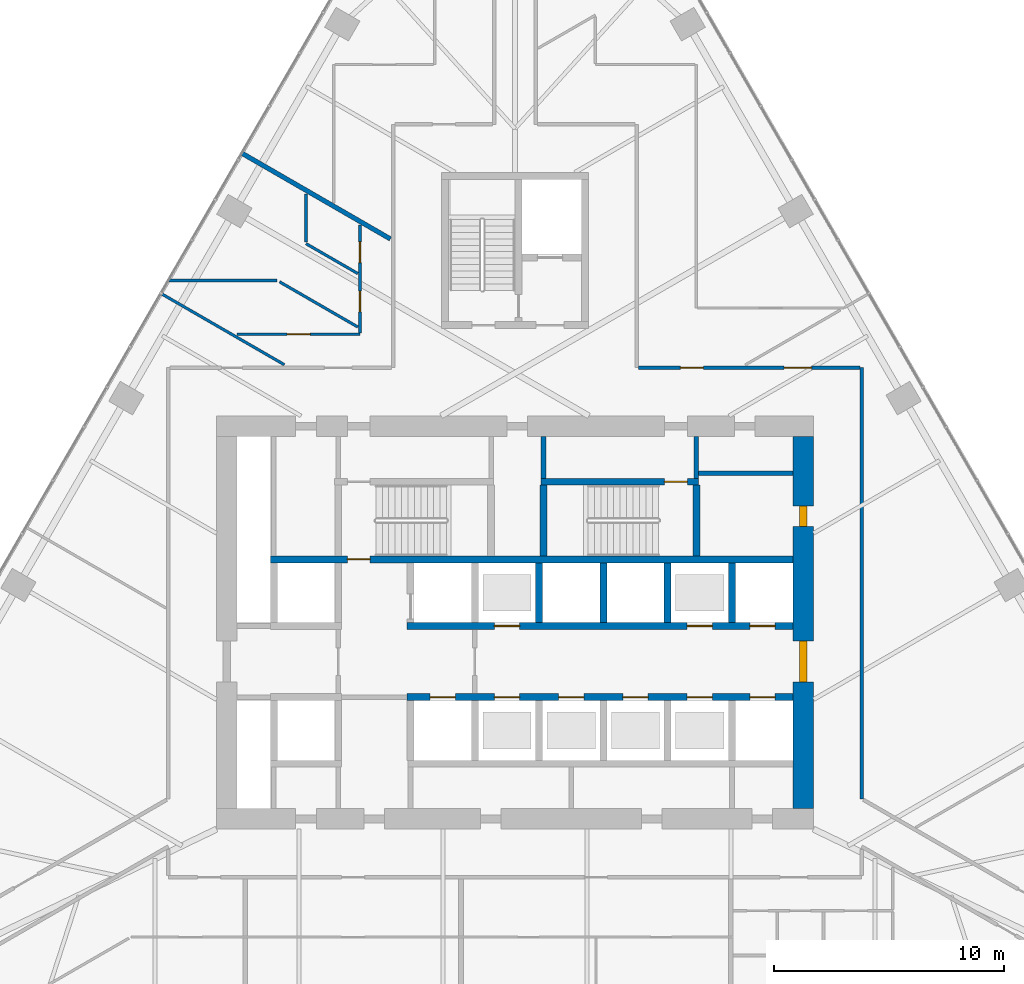
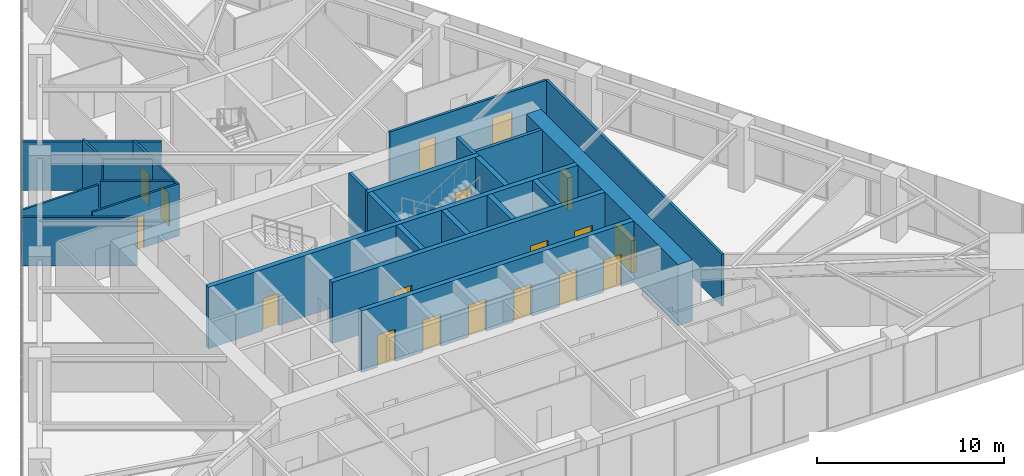
# One storey, part 18 of 21: 24 walls, 18 doors, 18 openings.
"""IFC4 building model written with IfcOpenShell, lengths in metres."""

from ifc_helpers import new_model, si_unit, direction, frame, frame_2d, origin, place, context, subcontext, project, spatial, rectangle, extrude, material, layer, layer_set, type_object, element, fill, save


model = new_model("IFC4")

# Units and contexts
model_context = context("Model", 3, precision=1e-05, world=origin(), true_north=direction((0.0, 1.0)))
body_context = subcontext(model_context, "Body", "Model", "MODEL_VIEW")
ifc_project = project(units=[si_unit("LENGTHUNIT", "METRE"), si_unit("AREAUNIT", "SQUARE_METRE"), si_unit("VOLUMEUNIT", "CUBIC_METRE"), si_unit("PLANEANGLEUNIT", "RADIAN"), si_unit("MASSUNIT", "GRAM", prefix="KILO")], contexts=[model_context])

# Site, building, storey
site_placement = place(None, origin())
site = spatial("IfcSite", under=ifc_project, at=site_placement, CompositionType="ELEMENT")
building_placement = place(site_placement, origin())
building = spatial("IfcBuilding", under=site, at=building_placement, Name="Firuza Gate Tower and Library", CompositionType="ELEMENT")
storey_placement = place(building_placement, frame((0.0, 0.0, 98.800048828125)))
storey = spatial("IfcBuildingStorey", under=building, at=storey_placement, Name="L22", CompositionType="ELEMENT", Elevation=98.800048828125)

# Walls
ifc_material_1 = material(Name="Plasterboard on steel studs", Category="steel")
ifc_layer_1 = layer(ifc_material_1, 0.199951171875)
ifc_layer_set_1 = layer_set([ifc_layer_1], Name="Core partition 200 EI 60")
wall_type_1 = type_object("IfcWallType", Name="Core partition 200 EI 60", PredefinedType="PARTITIONING", material=ifc_layer_set_1)
wall_1_placement = place(storey_placement, frame((83.0, 81.4951171875, 0.0), z_axis=(0.0, 0.0, 1.0), x_axis=(1.0, 0.0, 0.0)))
element("IfcWall", 1, at=wall_1_placement, inside=storey, type_object=wall_type_1, Name="Core partition L22 4", PredefinedType="PARTITIONING", context=body_context, shape_type="SweptSolid", body=[
    extrude(rectangle(XDim=4.10009765625, YDim=0.199951171875, at=frame_2d((2.050048828125, 0.0))), origin(), (0.0, 0.0, 1.0), 4.0),
])
for number, where, z_axis, x_axis, name in (
    (2, (76.239990234375, 81.280029296875, 0.0), (0.0, 0.0, 1.0), (0.0, 1.0, 0.0), "Core partition L22 13"),
    (3, (82.89990234375, 81.280029296875, 0.0), (0.0, 0.0, 1.0), (0.0, 1.0, 0.0), "Core partition L22 15"),
):
    element("IfcWall", number, at=place(storey_placement, frame(where, z_axis=z_axis, x_axis=x_axis)), inside=storey, type_object=wall_type_1, Name=name, PredefinedType="PARTITIONING", context=body_context, shape_type="SweptSolid", body=[
        extrude(rectangle(XDim=1.820068359375, YDim=0.199951171875, at=frame_2d((0.91015625, 0.0))), origin(), (0.0, 0.0, 1.0), 4.0),
    ])

# Wall, openings, doors
ifc_material_2 = material(Name="Concrete C80/95", Category="concrete")
ifc_layer_2 = layer(ifc_material_2, 0.300048828125)
ifc_layer_set_2 = layer_set([ifc_layer_2], Name="Core wall 300 C80/95")
wall_type_2 = type_object("IfcWallType", Name="Core wall 300 C80/95", PredefinedType="SHEAR", material=ifc_layer_set_2)
wall_2_placement = place(storey_placement, frame((70.300048828125, 71.75, 0.0), z_axis=(0.0, 0.0, 1.0), x_axis=(1.0, 0.0, 0.0)))
wall_2 = element("IfcWall", 4, at=wall_2_placement, inside=storey, type_object=wall_type_2, Name="Core wall L22 8", PredefinedType="SHEAR", context=body_context, shape_type="SweptSolid", body=[
    extrude(rectangle(XDim=16.800048828125, YDim=0.300048828125, at=frame_2d((8.39990234375, 0.0))), origin(), (0.0, 0.0, 1.0), 4.0),
])
opening_1_placement = place(wall_2_placement, frame((1.0, 0.0, 0.0)))
opening_1 = element("IfcOpeningElement", 5, at=opening_1_placement, cuts=wall_2, Name="Opening LD-FF1-L22", PredefinedType="OPENING", context=body_context, shape_type="SweptSolid", body=[
    extrude(rectangle(XDim=1.10009765625, YDim=2.10009765625, at=frame_2d((0.550048828125, 1.050048828125))), frame((0.0, 0.16015625, 0.0), z_axis=(0.0, -1.0, 0.0), x_axis=(1.0, 0.0, 0.0)), (0.0, 0.0, 1.0), 0.320068359375),
])
opening_2_placement = place(wall_2_placement, frame((3.800048828125, 0.0, 0.0)))
opening_2 = element("IfcOpeningElement", 6, at=opening_2_placement, cuts=wall_2, Name="Opening LD-LR1-L22", PredefinedType="OPENING", context=body_context, shape_type="SweptSolid", body=[
    extrude(rectangle(XDim=1.10009765625, YDim=2.10009765625, at=frame_2d((0.550048828125, 1.050048828125))), frame((0.0, 0.16015625, 0.0), z_axis=(0.0, -1.0, 0.0), x_axis=(1.0, 0.0, 0.0)), (0.0, 0.0, 1.0), 0.320068359375),
])
opening_3_placement = place(wall_2_placement, frame((6.60009765625, 0.0, 0.0)))
opening_3 = element("IfcOpeningElement", 7, at=opening_3_placement, cuts=wall_2, Name="Opening LD-LR2-L22", PredefinedType="OPENING", context=body_context, shape_type="SweptSolid", body=[
    extrude(rectangle(XDim=1.10009765625, YDim=2.10009765625, at=frame_2d((0.550048828125, 1.050048828125))), frame((0.0, 0.16015625, 0.0), z_axis=(0.0, -1.0, 0.0), x_axis=(1.0, 0.0, 0.0)), (0.0, 0.0, 1.0), 0.320068359375),
])
opening_4_placement = place(wall_2_placement, frame((9.39990234375, 0.0, 0.0)))
opening_4 = element("IfcOpeningElement", 8, at=opening_4_placement, cuts=wall_2, Name="Opening LD-LR3-L22", PredefinedType="OPENING", context=body_context, shape_type="SweptSolid", body=[
    extrude(rectangle(XDim=1.10009765625, YDim=2.10009765625, at=frame_2d((0.550048828125, 1.050048828125))), frame((0.0, 0.16015625, 0.0), z_axis=(0.0, -1.0, 0.0), x_axis=(1.0, 0.0, 0.0)), (0.0, 0.0, 1.0), 0.320068359375),
])
opening_5_placement = place(wall_2_placement, frame((12.199951171875, 0.0, 0.0)))
opening_5 = element("IfcOpeningElement", 9, at=opening_5_placement, cuts=wall_2, Name="Opening LD-LR5-L22", PredefinedType="OPENING", context=body_context, shape_type="SweptSolid", body=[
    extrude(rectangle(XDim=1.10009765625, YDim=2.10009765625, at=frame_2d((0.550048828125, 1.050048828125))), frame((0.0, 0.16015625, 0.0), z_axis=(0.0, -1.0, 0.0), x_axis=(1.0, 0.0, 0.0)), (0.0, 0.0, 1.0), 0.320068359375),
])
opening_6_placement = place(wall_2_placement, frame((14.925048828125, 0.0, 0.0)))
opening_6 = element("IfcOpeningElement", 10, at=opening_6_placement, cuts=wall_2, Name="Opening LD-LR7-L22", PredefinedType="OPENING", context=body_context, shape_type="SweptSolid", body=[
    extrude(rectangle(XDim=1.10009765625, YDim=2.10009765625, at=frame_2d((0.550048828125, 1.050048828125))), frame((0.0, 0.16015625, 0.0), z_axis=(0.0, -1.0, 0.0), x_axis=(1.0, 0.0, 0.0)), (0.0, 0.0, 1.0), 0.320068359375),
])
ifc_material_3 = material(Name="Stainless steel", Category="steel")
door_type_1 = type_object("IfcDoorType", Name="Lift landing door 1100x2100", OperationType="DOUBLE_DOOR_SLIDING", PredefinedType="DOOR", material=ifc_material_3)
door_1_placement = place(opening_1_placement, origin())
door_1 = element("IfcDoor", 11, at=door_1_placement, inside=storey, type_object=door_type_1, Name="Landing door FF1 L22", OperationType="DOUBLE_DOOR_SLIDING", OverallHeight=2.10009765625, OverallWidth=1.10009765625, PredefinedType="DOOR", context=body_context, shape_type="SweptSolid", body=[
    extrude(rectangle(XDim=1.10009765625, YDim=2.10009765625, at=frame_2d((0.550048828125, 1.050048828125))), frame((0.0, 0.02490234375, 0.0), z_axis=(0.0, -1.0, 0.0), x_axis=(1.0, 0.0, 0.0)), (0.0, 0.0, 1.0), 0.050048828125),
])
fill(opening_1, door_1)
door_2_placement = place(opening_2_placement, origin())
door_2 = element("IfcDoor", 12, at=door_2_placement, inside=storey, type_object=door_type_1, Name="Landing door LR1 L22", OperationType="DOUBLE_DOOR_SLIDING", OverallHeight=2.10009765625, OverallWidth=1.10009765625, PredefinedType="DOOR", context=body_context, shape_type="SweptSolid", body=[
    extrude(rectangle(XDim=1.10009765625, YDim=2.10009765625, at=frame_2d((0.550048828125, 1.050048828125))), frame((0.0, 0.02490234375, 0.0), z_axis=(0.0, -1.0, 0.0), x_axis=(1.0, 0.0, 0.0)), (0.0, 0.0, 1.0), 0.050048828125),
])
fill(opening_2, door_2)
door_3_placement = place(opening_3_placement, origin())
door_3 = element("IfcDoor", 13, at=door_3_placement, inside=storey, type_object=door_type_1, Name="Landing door LR2 L22", OperationType="DOUBLE_DOOR_SLIDING", OverallHeight=2.10009765625, OverallWidth=1.10009765625, PredefinedType="DOOR", context=body_context, shape_type="SweptSolid", body=[
    extrude(rectangle(XDim=1.10009765625, YDim=2.10009765625, at=frame_2d((0.550048828125, 1.050048828125))), frame((0.0, 0.02490234375, 0.0), z_axis=(0.0, -1.0, 0.0), x_axis=(1.0, 0.0, 0.0)), (0.0, 0.0, 1.0), 0.050048828125),
])
fill(opening_3, door_3)
door_4_placement = place(opening_4_placement, origin())
door_4 = element("IfcDoor", 14, at=door_4_placement, inside=storey, type_object=door_type_1, Name="Landing door LR3 L22", OperationType="DOUBLE_DOOR_SLIDING", OverallHeight=2.10009765625, OverallWidth=1.10009765625, PredefinedType="DOOR", context=body_context, shape_type="SweptSolid", body=[
    extrude(rectangle(XDim=1.10009765625, YDim=2.10009765625, at=frame_2d((0.550048828125, 1.050048828125))), frame((0.0, 0.02490234375, 0.0), z_axis=(0.0, -1.0, 0.0), x_axis=(1.0, 0.0, 0.0)), (0.0, 0.0, 1.0), 0.050048828125),
])
fill(opening_4, door_4)
door_5_placement = place(opening_5_placement, origin())
door_5 = element("IfcDoor", 15, at=door_5_placement, inside=storey, type_object=door_type_1, Name="Landing door LR5 L22", OperationType="DOUBLE_DOOR_SLIDING", OverallHeight=2.10009765625, OverallWidth=1.10009765625, PredefinedType="DOOR", context=body_context, shape_type="SweptSolid", body=[
    extrude(rectangle(XDim=1.10009765625, YDim=2.10009765625, at=frame_2d((0.550048828125, 1.050048828125))), frame((0.0, 0.02490234375, 0.0), z_axis=(0.0, -1.0, 0.0), x_axis=(1.0, 0.0, 0.0)), (0.0, 0.0, 1.0), 0.050048828125),
])
fill(opening_5, door_5)
door_6_placement = place(opening_6_placement, origin())
door_6 = element("IfcDoor", 16, at=door_6_placement, inside=storey, type_object=door_type_1, Name="Landing door LR7 L22", OperationType="DOUBLE_DOOR_SLIDING", OverallHeight=2.10009765625, OverallWidth=1.10009765625, PredefinedType="DOOR", context=body_context, shape_type="SweptSolid", body=[
    extrude(rectangle(XDim=1.10009765625, YDim=2.10009765625, at=frame_2d((0.550048828125, 1.050048828125))), frame((0.0, 0.02490234375, 0.0), z_axis=(0.0, -1.0, 0.0), x_axis=(1.0, 0.0, 0.0)), (0.0, 0.0, 1.0), 0.050048828125),
])
fill(opening_6, door_6)

wall_3_placement = place(storey_placement, frame((70.300048828125, 74.85009765625, 0.0), z_axis=(0.0, 0.0, 1.0), x_axis=(1.0, 0.0, 0.0)))
wall_3 = element("IfcWall", 17, at=wall_3_placement, inside=storey, type_object=wall_type_2, Name="Core wall L22 10", PredefinedType="SHEAR", context=body_context, shape_type="SweptSolid", body=[
    extrude(rectangle(XDim=16.800048828125, YDim=0.300048828125, at=frame_2d((8.39990234375, 0.0))), origin(), (0.0, 0.0, 1.0), 4.0),
])
opening_7_placement = place(wall_3_placement, frame((3.800048828125, 0.0, 0.0)))
opening_7 = element("IfcOpeningElement", 18, at=opening_7_placement, cuts=wall_3, Name="Opening LD-LR4-L22", PredefinedType="OPENING", context=body_context, shape_type="SweptSolid", body=[
    extrude(rectangle(XDim=1.10009765625, YDim=2.10009765625, at=frame_2d((0.550048828125, 1.050048828125))), frame((0.0, 0.16015625, 0.0), z_axis=(0.0, -1.0, 0.0), x_axis=(1.0, 0.0, 0.0)), (0.0, 0.0, 1.0), 0.320068359375),
])
opening_8_placement = place(wall_3_placement, frame((12.199951171875, 0.0, 0.0)))
opening_8 = element("IfcOpeningElement", 19, at=opening_8_placement, cuts=wall_3, Name="Opening LD-LR6-L22", PredefinedType="OPENING", context=body_context, shape_type="SweptSolid", body=[
    extrude(rectangle(XDim=1.10009765625, YDim=2.10009765625, at=frame_2d((0.550048828125, 1.050048828125))), frame((0.0, 0.16015625, 0.0), z_axis=(0.0, -1.0, 0.0), x_axis=(1.0, 0.0, 0.0)), (0.0, 0.0, 1.0), 0.320068359375),
])
opening_9_placement = place(wall_3_placement, frame((14.925048828125, 0.0, 0.0)))
opening_9 = element("IfcOpeningElement", 20, at=opening_9_placement, cuts=wall_3, Name="Opening LD-LR8-L22", PredefinedType="OPENING", context=body_context, shape_type="SweptSolid", body=[
    extrude(rectangle(XDim=1.10009765625, YDim=2.10009765625, at=frame_2d((0.550048828125, 1.050048828125))), frame((0.0, 0.16015625, 0.0), z_axis=(0.0, -1.0, 0.0), x_axis=(1.0, 0.0, 0.0)), (0.0, 0.0, 1.0), 0.320068359375),
])
door_7_placement = place(opening_7_placement, origin())
door_7 = element("IfcDoor", 21, at=door_7_placement, inside=storey, type_object=door_type_1, Name="Landing door LR4 L22", OperationType="DOUBLE_DOOR_SLIDING", OverallHeight=2.10009765625, OverallWidth=1.10009765625, PredefinedType="DOOR", context=body_context, shape_type="SweptSolid", body=[
    extrude(rectangle(XDim=1.10009765625, YDim=2.10009765625, at=frame_2d((0.550048828125, 1.050048828125))), frame((0.0, 0.02490234375, 0.0), z_axis=(0.0, -1.0, 0.0), x_axis=(1.0, 0.0, 0.0)), (0.0, 0.0, 1.0), 0.050048828125),
])
fill(opening_7, door_7)
door_8_placement = place(opening_8_placement, origin())
door_8 = element("IfcDoor", 22, at=door_8_placement, inside=storey, type_object=door_type_1, Name="Landing door LR6 L22", OperationType="DOUBLE_DOOR_SLIDING", OverallHeight=2.10009765625, OverallWidth=1.10009765625, PredefinedType="DOOR", context=body_context, shape_type="SweptSolid", body=[
    extrude(rectangle(XDim=1.10009765625, YDim=2.10009765625, at=frame_2d((0.550048828125, 1.050048828125))), frame((0.0, 0.02490234375, 0.0), z_axis=(0.0, -1.0, 0.0), x_axis=(1.0, 0.0, 0.0)), (0.0, 0.0, 1.0), 0.050048828125),
])
fill(opening_8, door_8)
door_9_placement = place(opening_9_placement, origin())
door_9 = element("IfcDoor", 23, at=door_9_placement, inside=storey, type_object=door_type_1, Name="Landing door LR8 L22", OperationType="DOUBLE_DOOR_SLIDING", OverallHeight=2.10009765625, OverallWidth=1.10009765625, PredefinedType="DOOR", context=body_context, shape_type="SweptSolid", body=[
    extrude(rectangle(XDim=1.10009765625, YDim=2.10009765625, at=frame_2d((0.550048828125, 1.050048828125))), frame((0.0, 0.02490234375, 0.0), z_axis=(0.0, -1.0, 0.0), x_axis=(1.0, 0.0, 0.0)), (0.0, 0.0, 1.0), 0.050048828125),
])
fill(opening_9, door_9)

# Walls
for number, where, z_axis, x_axis, name in (
    (24, (76.050048828125, 75.0, 0.0), (0.0, 0.0, 1.0), (0.0, 1.0, 0.0), "Core wall L22 20"),
    (25, (78.85009765625, 75.0, 0.0), (0.0, 0.0, 1.0), (0.0, 1.0, 0.0), "Core wall L22 22"),
    (26, (81.64990234375, 75.0, 0.0), (0.0, 0.0, 1.0), (0.0, 1.0, 0.0), "Core wall L22 24"),
    (27, (84.449951171875, 75.0, 0.0), (0.0, 0.0, 1.0), (0.0, 1.0, 0.0), "Core wall L22 26"),
):
    element("IfcWall", number, at=place(storey_placement, frame(where, z_axis=z_axis, x_axis=x_axis)), inside=storey, type_object=wall_type_2, Name=name, PredefinedType="SHEAR", context=body_context, shape_type="SweptSolid", body=[
        extrude(rectangle(XDim=2.60009765625, YDim=0.300048828125, at=frame_2d((1.300048828125, 0.0))), origin(), (0.0, 0.0, 1.0), 4.0),
    ])

# Wall, opening, door
wall_4_placement = place(storey_placement, frame((64.35009765625, 77.75, 0.0), z_axis=(0.0, 0.0, 1.0), x_axis=(1.0, 0.0, 0.0)))
wall_4 = element("IfcWall", 28, at=wall_4_placement, inside=storey, type_object=wall_type_2, Name="Core wall L22 27", PredefinedType="SHEAR", context=body_context, shape_type="SweptSolid", body=[
    extrude(rectangle(XDim=22.75, YDim=0.300048828125, at=frame_2d((11.375, 0.0))), origin(), (0.0, 0.0, 1.0), 4.0),
])
opening_10_placement = place(wall_4_placement, frame((3.344970703125, 0.0, 0.0)))
opening_10 = element("IfcOpeningElement", 29, at=opening_10_placement, cuts=wall_4, Name="Opening L22-K12", PredefinedType="OPENING", context=body_context, shape_type="SweptSolid", body=[
    extrude(rectangle(XDim=1.0, YDim=2.10009765625, at=frame_2d((0.5, 1.050048828125))), frame((0.0, 0.16015625, 0.0), z_axis=(0.0, -1.0, 0.0), x_axis=(1.0, 0.0, 0.0)), (0.0, 0.0, 1.0), 0.320068359375),
])
ifc_material_4 = material(Name="Steel", Category="steel")
door_type_2 = type_object("IfcDoorType", Name="Fire door 1000x2100 FD90", OperationType="NOTDEFINED", PredefinedType="DOOR", material=ifc_material_4)
door_10_placement = place(opening_10_placement, origin())
door_10 = element("IfcDoor", 30, at=door_10_placement, inside=storey, type_object=door_type_2, Name="Door L22-K12", OperationType="SINGLE_SWING_LEFT", OverallHeight=2.10009765625, OverallWidth=1.0, PredefinedType="DOOR", context=body_context, shape_type="SweptSolid", body=[
    extrude(rectangle(XDim=1.0, YDim=2.10009765625, at=frame_2d((0.5, 1.050048828125))), frame((0.0, 0.02490234375, 0.0), z_axis=(0.0, -1.0, 0.0), x_axis=(1.0, 0.0, 0.0)), (0.0, 0.0, 1.0), 0.050048828125),
])
fill(opening_10, door_10)

wall_5_placement = place(storey_placement, frame((76.139892578125, 81.1298828125, 0.0), z_axis=(0.0, 0.0, 1.0), x_axis=(1.0, 0.0, 0.0)))
wall_5 = element("IfcWall", 31, at=wall_5_placement, inside=storey, type_object=wall_type_2, Name="Core wall L22 29", PredefinedType="SHEAR", context=body_context, shape_type="SweptSolid", body=[
    extrude(rectangle(XDim=6.860107421875, YDim=0.300048828125, at=frame_2d((3.43017578125, 0.0))), origin(), (0.0, 0.0, 1.0), 4.0),
])
opening_11_placement = place(wall_5_placement, frame((5.364990234375, 0.0, 0.0)))
opening_11 = element("IfcOpeningElement", 32, at=opening_11_placement, cuts=wall_5, Name="Opening L22-K15", PredefinedType="OPENING", context=body_context, shape_type="SweptSolid", body=[
    extrude(rectangle(XDim=1.0, YDim=2.10009765625, at=frame_2d((0.5, 1.050048828125))), frame((0.0, 0.16015625, 0.0), z_axis=(0.0, -1.0, 0.0), x_axis=(1.0, 0.0, 0.0)), (0.0, 0.0, 1.0), 0.320068359375),
])
door_11_placement = place(opening_11_placement, origin())
door_11 = element("IfcDoor", 33, at=door_11_placement, inside=storey, type_object=door_type_2, Name="Door L22-K15", OperationType="SINGLE_SWING_RIGHT", OverallHeight=2.10009765625, OverallWidth=1.0, PredefinedType="DOOR", context=body_context, shape_type="SweptSolid", body=[
    extrude(rectangle(XDim=1.0, YDim=2.10009765625, at=frame_2d((0.5, 1.050048828125))), frame((0.0, 0.02490234375, 0.0), z_axis=(0.0, -1.0, 0.0), x_axis=(1.0, 0.0, 0.0)), (0.0, 0.0, 1.0), 0.050048828125),
])
fill(opening_11, door_11)

# Walls
for number, where, z_axis, x_axis, name in (
    (34, (76.239990234375, 77.89990234375, 0.0), (0.0, 0.0, 1.0), (0.0, 1.0, 0.0), "Core wall L22 32"),
    (35, (82.89990234375, 77.89990234375, 0.0), (0.0, 0.0, 1.0), (0.0, 1.0, 0.0), "Core wall L22 33"),
):
    element("IfcWall", number, at=place(storey_placement, frame(where, z_axis=z_axis, x_axis=x_axis)), inside=storey, type_object=wall_type_2, Name=name, PredefinedType="SHEAR", context=body_context, shape_type="SweptSolid", body=[
        extrude(rectangle(XDim=3.080078125, YDim=0.300048828125, at=frame_2d((1.5400390625, 0.0))), origin(), (0.0, 0.0, 1.0), 4.0),
    ])

# Wall, openings, doors
ifc_material_5 = material(Name="Concrete C80/95", Category="concrete")
ifc_layer_3 = layer(ifc_material_5, 0.89990234375)
ifc_layer_set_3 = layer_set([ifc_layer_3], Name="Core wall 900 C80/95")
wall_type_3 = type_object("IfcWallType", Name="Core wall 900 C80/95", PredefinedType="SHEAR", material=ifc_layer_set_3)
wall_6_placement = place(storey_placement, frame((87.550048828125, 66.89990234375, 0.0), z_axis=(0.0, 0.0, 1.0), x_axis=(0.0, 1.0, 0.0)))
wall_6 = element("IfcWall", 36, at=wall_6_placement, inside=storey, type_object=wall_type_3, Name="Core wall L22 4", PredefinedType="SHEAR", context=body_context, shape_type="SweptSolid", body=[
    extrude(rectangle(XDim=16.2001953125, YDim=0.89990234375, at=frame_2d((8.10009765625, 0.0))), origin(), (0.0, 0.0, 1.0), 4.0),
])
opening_12_placement = place(wall_6_placement, frame((5.5, 0.0, 0.0)))
opening_12 = element("IfcOpeningElement", 37, at=opening_12_placement, cuts=wall_6, Name="Opening L22-K23", PredefinedType="OPENING", context=body_context, shape_type="SweptSolid", body=[
    extrude(rectangle(XDim=1.800048828125, YDim=2.10009765625, at=frame_2d((0.89990234375, 1.050048828125))), frame((0.0, 0.4599609375, 0.0), z_axis=(0.0, -1.0, 0.0), x_axis=(1.0, 0.0, 0.0)), (0.0, 0.0, 1.0), 0.919921875),
])
opening_13_placement = place(wall_6_placement, frame((12.2724609375, 0.0, 0.0)))
opening_13 = element("IfcOpeningElement", 38, at=opening_13_placement, cuts=wall_6, Name="Opening L22-K31", PredefinedType="OPENING", context=body_context, shape_type="SweptSolid", body=[
    extrude(rectangle(XDim=0.89990234375, YDim=2.10009765625, at=frame_2d((0.449951171875, 1.050048828125))), frame((0.0, 0.4599609375, 0.0), z_axis=(0.0, -1.0, 0.0), x_axis=(1.0, 0.0, 0.0)), (0.0, 0.0, 1.0), 0.919921875),
])
ifc_material_6 = material(Name="Steel", Category="steel")
door_type_3 = type_object("IfcDoorType", Name="Fire door 1800x2100 FD30S", OperationType="NOTDEFINED", PredefinedType="DOOR", material=ifc_material_6)
door_12_placement = place(opening_12_placement, origin())
door_12 = element("IfcDoor", 39, at=door_12_placement, inside=storey, type_object=door_type_3, Name="Door L22-K23", OperationType="SINGLE_SWING_RIGHT", OverallHeight=2.10009765625, OverallWidth=1.800048828125, PredefinedType="DOOR", context=body_context, shape_type="SweptSolid", body=[
    extrude(rectangle(XDim=1.800048828125, YDim=2.10009765625, at=frame_2d((0.89990234375, 1.050048828125))), frame((0.0, 0.169921875, 0.0), z_axis=(0.0, -1.0, 0.0), x_axis=(1.0, 0.0, 0.0)), (0.0, 0.0, 1.0), 0.33984375),
])
fill(opening_12, door_12)
ifc_material_7 = material(Name="Steel", Category="steel")
door_type_4 = type_object("IfcDoorType", Name="Fire door 900x2100 FD30S", OperationType="NOTDEFINED", PredefinedType="DOOR", material=ifc_material_7)
door_13_placement = place(opening_13_placement, origin())
door_13 = element("IfcDoor", 40, at=door_13_placement, inside=storey, type_object=door_type_4, Name="Door L22-K31", OperationType="SINGLE_SWING_RIGHT", OverallHeight=2.10009765625, OverallWidth=0.89990234375, PredefinedType="DOOR", context=body_context, shape_type="SweptSolid", body=[
    extrude(rectangle(XDim=0.89990234375, YDim=2.10009765625, at=frame_2d((0.449951171875, 1.050048828125))), frame((0.0, 0.169921875, 0.0), z_axis=(0.0, -1.0, 0.0), x_axis=(1.0, 0.0, 0.0)), (0.0, 0.0, 1.0), 0.33984375),
])
fill(opening_13, door_13)

ifc_material_8 = material(Name="Gypsum board partition")
ifc_layer_4 = layer(ifc_material_8, 0.14990234375)
ifc_layer_set_4 = layer_set([ifc_layer_4], Name="Corridor wall 150 double board on steel studs")
wall_type_4 = type_object("IfcWallType", Name="Corridor wall 150 double board on steel studs", PredefinedType="PARTITIONING", material=ifc_layer_set_4)
wall_7_placement = place(storey_placement, frame((90.0244140625, 86.10009765625, 0.0), z_axis=(0.0, 0.0, 1.0), x_axis=(-1.0, 0.0, 0.0)))
wall_7 = element("IfcWall", 41, at=wall_7_placement, inside=storey, type_object=wall_type_4, Name="f:L22:w006", PredefinedType="PARTITIONING", context=body_context, shape_type="SweptSolid", body=[
    extrude(rectangle(XDim=9.6494140625, YDim=0.14990234375, at=frame_2d((4.82470703125, 0.0))), origin(), (0.0, 0.0, 1.0), 3.39990234375),
])
opening_14_placement = place(wall_7_placement, frame((2.1025390625, 0.0, 0.0)))
opening_14 = element("IfcOpeningElement", 42, at=opening_14_placement, cuts=wall_7, Name="Opening L22-14", PredefinedType="OPENING", context=body_context, shape_type="SweptSolid", body=[
    extrude(rectangle(XDim=1.199951171875, YDim=2.10009765625, at=frame_2d((0.60009765625, 1.050048828125))), frame((0.0, 0.0849609375, 0.0), z_axis=(0.0, -1.0, 0.0), x_axis=(1.0, 0.0, 0.0)), (0.0, 0.0, 1.0), 0.169921875),
])
opening_15_placement = place(wall_7_placement, frame((6.82275390625, 0.0, 0.0)))
opening_15 = element("IfcOpeningElement", 43, at=opening_15_placement, cuts=wall_7, Name="Opening L22-15", PredefinedType="OPENING", context=body_context, shape_type="SweptSolid", body=[
    extrude(rectangle(XDim=1.0, YDim=2.10009765625, at=frame_2d((0.5, 1.050048828125))), frame((0.0, 0.0849609375, 0.0), z_axis=(0.0, -1.0, 0.0), x_axis=(1.0, 0.0, 0.0)), (0.0, 0.0, 1.0), 0.169921875),
])
ifc_material_9 = material(Name="Steel door and timber leaf", Category="steel")
door_type_5 = type_object("IfcDoorType", Name="Fire door 1000 x 2100 steel frame, timber leaf", OperationType="NOTDEFINED", PredefinedType="DOOR", material=ifc_material_9)
door_14_placement = place(opening_15_placement, origin())
door_14 = element("IfcDoor", 44, at=door_14_placement, inside=storey, type_object=door_type_5, Name="f:L22:d015", OperationType="SINGLE_SWING_LEFT", OverallHeight=2.10009765625, OverallWidth=1.0, PredefinedType="DOOR", context=body_context, shape_type="SweptSolid", body=[
    extrude(rectangle(XDim=1.0, YDim=2.10009765625, at=frame_2d((0.5, 1.050048828125))), frame((0.0, 0.02490234375, 0.0), z_axis=(0.0, -1.0, 0.0), x_axis=(1.0, 0.0, 0.0)), (0.0, 0.0, 1.0), 0.050048828125),
])
fill(opening_15, door_14)
ifc_material_10 = material(Name="Steel door and timber leaf", Category="steel")
door_type_6 = type_object("IfcDoorType", Name="Fire door 1200 x 2100 steel frame, double leaf", OperationType="NOTDEFINED", PredefinedType="DOOR", material=ifc_material_10)
door_15_placement = place(opening_14_placement, origin())
door_15 = element("IfcDoor", 45, at=door_15_placement, inside=storey, type_object=door_type_6, Name="f:L22:d014", OperationType="DOUBLE_DOOR_SINGLE_SWING", OverallHeight=2.10009765625, OverallWidth=1.199951171875, PredefinedType="DOOR", context=body_context, shape_type="SweptSolid", body=[
    extrude(rectangle(XDim=1.199951171875, YDim=2.10009765625, at=frame_2d((0.60009765625, 1.050048828125))), frame((0.0, 0.02490234375, 0.0), z_axis=(0.0, -1.0, 0.0), x_axis=(1.0, 0.0, 0.0)), (0.0, 0.0, 1.0), 0.050048828125),
])
fill(opening_14, door_15)

# Walls
wall_8_placement = place(storey_placement, frame((90.10009765625, 67.3212890625, 0.0), z_axis=(0.0, 0.0, 1.0), x_axis=(0.0, 1.0, 0.0)))
element("IfcWall", 46, at=wall_8_placement, inside=storey, type_object=wall_type_4, Name="f:L22:w027", PredefinedType="PARTITIONING", context=body_context, shape_type="SweptSolid", body=[
    extrude(rectangle(XDim=18.7783203125, YDim=0.14990234375, at=frame_2d((9.38916015625, 0.0))), origin(), (0.0, 0.0, 1.0), 3.39990234375),
])
ifc_material_11 = material(Name="Gypsum board partition")
ifc_layer_5 = layer(ifc_material_11, 0.199951171875)
ifc_layer_set_5 = layer_set([ifc_layer_5], Name="Demising wall 200 acoustic double stud")
wall_type_5 = type_object("IfcWallType", Name="Demising wall 200 acoustic double stud", PredefinedType="PARTITIONING", material=ifc_layer_set_5)
wall_9_placement = place(storey_placement, frame((69.572998046875, 91.705810546875, 0.0), z_axis=(0.0, 0.0, 1.0), x_axis=(-0.866024622953, 0.500001352437, 0.0)))
element("IfcWall", 47, at=wall_9_placement, inside=storey, type_object=wall_type_5, Name="f:L22:w050", PredefinedType="PARTITIONING", context=body_context, shape_type="SweptSolid", body=[
    extrude(rectangle(XDim=7.451171875, YDim=0.199951171875, at=frame_2d((3.7255859375, 0.0))), origin(), (0.0, 0.0, 1.0), 3.1650390625),
])

# Wall, opening, door
ifc_material_12 = material(Name="Gypsum board partition")
ifc_layer_6 = layer(ifc_material_12, 0.1201171875)
ifc_layer_set_6 = layer_set([ifc_layer_6], Name="Wet-area partition 120 moisture-resistant board")
wall_type_6 = type_object("IfcWallType", Name="Wet-area partition 120 moisture-resistant board", PredefinedType="PARTITIONING", material=ifc_layer_set_6)
wall_10_placement = place(storey_placement, frame((62.896240234375, 87.550048828125, 0.0), z_axis=(0.0, 0.0, 1.0), x_axis=(1.0, 0.0, 0.0)))
wall_10 = element("IfcWall", 48, at=wall_10_placement, inside=storey, type_object=wall_type_6, Name="f:L22:w007", PredefinedType="PARTITIONING", context=body_context, shape_type="SweptSolid", body=[
    extrude(rectangle(XDim=5.353759765625, YDim=0.1201171875, at=frame_2d((2.6767578125, 0.0))), origin(), (0.0, 0.0, 1.0), 3.39990234375),
])
opening_16_placement = place(wall_10_placement, frame((2.177001953125, 0.0, 0.0)))
opening_16 = element("IfcOpeningElement", 49, at=opening_16_placement, cuts=wall_10, Name="Opening L22-16", PredefinedType="OPENING", context=body_context, shape_type="SweptSolid", body=[
    extrude(rectangle(XDim=1.0, YDim=2.10009765625, at=frame_2d((0.5, 1.050048828125))), frame((0.0, 0.070068359375, 0.0), z_axis=(0.0, -1.0, 0.0), x_axis=(1.0, 0.0, 0.0)), (0.0, 0.0, 1.0), 0.14013671875),
])
ifc_material_13 = material(Name="Timber door", Category="wood")
door_type_7 = type_object("IfcDoorType", Name="Door 1000 x 2100 timber leaf", OperationType="NOTDEFINED", PredefinedType="DOOR", material=ifc_material_13)
door_16_placement = place(opening_16_placement, origin())
door_16 = element("IfcDoor", 50, at=door_16_placement, inside=storey, type_object=door_type_7, Name="f:L22:d016", OperationType="SINGLE_SWING_RIGHT", OverallHeight=2.10009765625, OverallWidth=1.0, PredefinedType="DOOR", context=body_context, shape_type="SweptSolid", body=[
    extrude(rectangle(XDim=1.0, YDim=2.10009765625, at=frame_2d((0.5, 1.050048828125))), frame((0.0, 0.02490234375, 0.0), z_axis=(0.0, -1.0, 0.0), x_axis=(1.0, 0.0, 0.0)), (0.0, 0.0, 1.0), 0.050048828125),
])
fill(opening_16, door_16)

# Wall
wall_11_placement = place(storey_placement, frame((59.926513671875, 89.89990234375, 0.0), z_axis=(0.0, 0.0, 1.0), x_axis=(1.0, 0.0, 0.0)))
element("IfcWall", 51, at=wall_11_placement, inside=storey, type_object=wall_type_6, Name="f:L22:w009", PredefinedType="PARTITIONING", context=body_context, shape_type="SweptSolid", body=[
    extrude(rectangle(XDim=4.71435546875, YDim=0.1201171875, at=frame_2d((2.357177734375, 0.0))), origin(), (0.0, 0.0, 1.0), 3.1650390625),
])

# Wall, openings, doors
wall_12_placement = place(storey_placement, frame((68.25, 87.610107421875, 0.0), z_axis=(0.0, 0.0, 1.0), x_axis=(0.0, 1.0, 0.0)))
wall_12 = element("IfcWall", 52, at=wall_12_placement, inside=storey, type_object=wall_type_6, Name="f:L22:w043", PredefinedType="PARTITIONING", context=body_context, shape_type="SweptSolid", body=[
    extrude(rectangle(XDim=4.7041015625, YDim=0.1201171875, at=frame_2d((2.35205078125, 0.0))), origin(), (0.0, 0.0, 1.0), 3.322021484375),
])
opening_17_placement = place(wall_12_placement, frame((0.919921875, 0.0, 0.0)))
opening_17 = element("IfcOpeningElement", 53, at=opening_17_placement, cuts=wall_12, Name="Opening L22-21", PredefinedType="OPENING", context=body_context, shape_type="SweptSolid", body=[
    extrude(rectangle(XDim=0.89990234375, YDim=2.10009765625, at=frame_2d((0.449951171875, 1.050048828125))), frame((0.0, 0.070068359375, 0.0), z_axis=(0.0, -1.0, 0.0), x_axis=(1.0, 0.0, 0.0)), (0.0, 0.0, 1.0), 0.14013671875),
])
opening_18_placement = place(wall_12_placement, frame((3.067138671875, 0.0, 0.0)))
opening_18 = element("IfcOpeningElement", 54, at=opening_18_placement, cuts=wall_12, Name="Opening L22-22", PredefinedType="OPENING", context=body_context, shape_type="SweptSolid", body=[
    extrude(rectangle(XDim=0.89990234375, YDim=2.10009765625, at=frame_2d((0.449951171875, 1.050048828125))), frame((0.0, 0.070068359375, 0.0), z_axis=(0.0, -1.0, 0.0), x_axis=(1.0, 0.0, 0.0)), (0.0, 0.0, 1.0), 0.14013671875),
])
ifc_material_14 = material(Name="Timber door", Category="wood")
door_type_8 = type_object("IfcDoorType", Name="Door 900 x 2100 timber leaf", OperationType="NOTDEFINED", PredefinedType="DOOR", material=ifc_material_14)
door_17_placement = place(opening_17_placement, origin())
door_17 = element("IfcDoor", 55, at=door_17_placement, inside=storey, type_object=door_type_8, Name="f:L22:d021", OperationType="SINGLE_SWING_LEFT", OverallHeight=2.10009765625, OverallWidth=0.89990234375, PredefinedType="DOOR", context=body_context, shape_type="SweptSolid", body=[
    extrude(rectangle(XDim=0.89990234375, YDim=2.10009765625, at=frame_2d((0.449951171875, 1.050048828125))), frame((0.0, 0.02490234375, 0.0), z_axis=(0.0, -1.0, 0.0), x_axis=(1.0, 0.0, 0.0)), (0.0, 0.0, 1.0), 0.050048828125),
])
fill(opening_17, door_17)
door_18_placement = place(opening_18_placement, origin())
door_18 = element("IfcDoor", 56, at=door_18_placement, inside=storey, type_object=door_type_8, Name="f:L22:d022", OperationType="SINGLE_SWING_RIGHT", OverallHeight=2.10009765625, OverallWidth=0.89990234375, PredefinedType="DOOR", context=body_context, shape_type="SweptSolid", body=[
    extrude(rectangle(XDim=0.89990234375, YDim=2.10009765625, at=frame_2d((0.449951171875, 1.050048828125))), frame((0.0, 0.02490234375, 0.0), z_axis=(0.0, -1.0, 0.0), x_axis=(1.0, 0.0, 0.0)), (0.0, 0.0, 1.0), 0.050048828125),
])
fill(opening_18, door_18)

# Walls
wall_13_placement = place(storey_placement, frame((65.89990234375, 91.5693359375, 0.0), z_axis=(0.0, 0.0, 1.0), x_axis=(0.0, 1.0, 0.0)))
element("IfcWall", 57, at=wall_13_placement, inside=storey, type_object=wall_type_6, Name="f:L22:w045", PredefinedType="PARTITIONING", context=body_context, shape_type="SweptSolid", body=[
    extrude(rectangle(XDim=2.101318359375, YDim=0.1201171875, at=frame_2d((1.05078125, 0.0))), origin(), (0.0, 0.0, 1.0), 3.39990234375),
])
wall_14_placement = place(storey_placement, frame((68.1552734375, 90.197509765625, 0.0), z_axis=(0.0, 0.0, 1.0), x_axis=(-0.866024771944, 0.500001094379, 0.0)))
element("IfcWall", 58, at=wall_14_placement, inside=storey, type_object=wall_type_6, Name="f:L22:w051", PredefinedType="PARTITIONING", context=body_context, shape_type="SweptSolid", body=[
    extrude(rectangle(XDim=2.60400390625, YDim=0.1201171875, at=frame_2d((1.302001953125, 0.0))), origin(), (0.0, 0.0, 1.0), 3.39990234375),
])
wall_15_placement = place(storey_placement, frame((68.1552734375, 87.870849609375, 0.0), z_axis=(0.0, 0.0, 1.0), x_axis=(-0.866041060244, 0.499972881236, 0.0)))
element("IfcWall", 59, at=wall_15_placement, inside=storey, type_object=wall_type_6, Name="f:L22:w052", PredefinedType="PARTITIONING", context=body_context, shape_type="SweptSolid", body=[
    extrude(rectangle(XDim=3.938232421875, YDim=0.1201171875, at=frame_2d((1.96923828125, 0.0))), origin(), (0.0, 0.0, 1.0), 3.39990234375),
])
wall_16_placement = place(storey_placement, frame((64.95263671875, 86.23046875, 0.0), z_axis=(0.0, 0.0, 1.0), x_axis=(-0.866029863972, 0.499992274648, 0.0)))
element("IfcWall", 60, at=wall_16_placement, inside=storey, type_object=wall_type_6, Name="f:L22:w053", PredefinedType="PARTITIONING", context=body_context, shape_type="SweptSolid", body=[
    extrude(rectangle(XDim=6.1875, YDim=0.1201171875, at=frame_2d((3.09375, 0.0))), origin(), (0.0, 0.0, 1.0), 3.1650390625),
])

save(model, "model.ifc")
